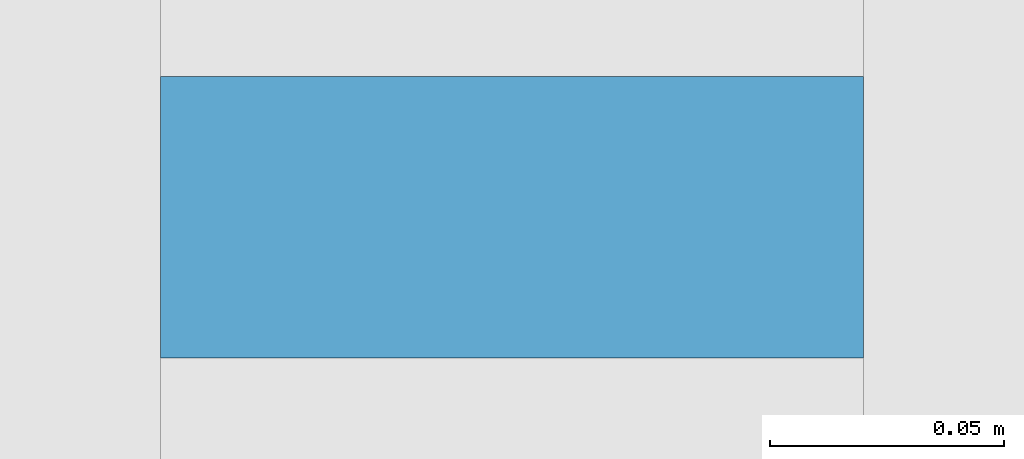
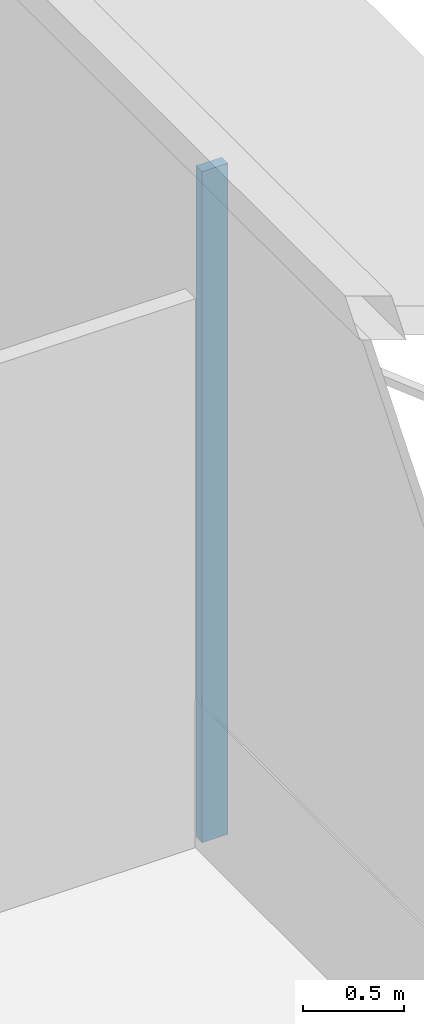
# One storey, part 13 of 22: 1 member, 1 element without a shape of its own.
"""IFC4 building model written with IfcOpenShell, lengths in metres."""

from ifc_helpers import new_model, si_unit, direction, frame, origin, origin_2d, place, context, subcontext, project, spatial, rectangle, extrude, source, transform, mapped, material, layer, layer_set, material_profile, profile_set, type_object, element, aggregate, save


model = new_model("IFC4")

# Units and contexts
model_context = context("Model", 3, precision=1e-05, world=origin(), true_north=direction((0.0, 1.0)))
body_context = subcontext(model_context, "Body", "Model", "MODEL_VIEW")
ifc_project = project(units=[si_unit("LENGTHUNIT", "METRE"), si_unit("AREAUNIT", "SQUARE_METRE"), si_unit("VOLUMEUNIT", "CUBIC_METRE"), si_unit("PLANEANGLEUNIT", "RADIAN"), si_unit("MASSUNIT", "GRAM", prefix="KILO")], contexts=[model_context])

# Site, building, storey
site_placement = place(None, origin())
site = spatial("IfcSite", under=ifc_project, at=site_placement, CompositionType="ELEMENT")
building_placement = place(site_placement, origin())
building = spatial("IfcBuilding", under=site, at=building_placement, Name="Trellis Farm Tower", CompositionType="ELEMENT")
storey_placement = place(building_placement, frame((0.0, 0.0, 47.5)))
storey = spatial("IfcBuildingStorey", under=building, at=storey_placement, Name="L09", CompositionType="ELEMENT", Elevation=47.5)

# Curtain wall, member
ifc_material_1 = material(Name="Aluminium and glass curtain wall", Category="aluminium")
ifc_layer = layer(ifc_material_1, 0.18994140625)
ifc_layer_set = layer_set([ifc_layer], Name="RIBBON CURTAIN WALL CW1")
curtain_wall_type = type_object("IfcCurtainWallType", Name="RIBBON CURTAIN WALL CW1", PredefinedType="NOTDEFINED", material=ifc_layer_set)
curtain_wall_placement = place(storey_placement, origin())
curtain_wall = element("IfcCurtainWall", 1, at=curtain_wall_placement, inside=storey, type_object=curtain_wall_type, Name="CW1 006", PredefinedType="NOTDEFINED")
ifc_material_2 = material(Name="Aluminium extrusion 6063-T6", Category="aluminium")
ifc_material_profile = material_profile(ifc_material_2, rectangle(XDim=0.06005859375, YDim=0.14990234375, at=origin_2d()), Name="MULLION 60x150")
ifc_profile_set = profile_set([ifc_material_profile], Name="Aluminium extrusion 6063-T6")
member_type = type_object("IfcMemberType", Name="CW1 MULLION 60x150", PredefinedType="MULLION", material=ifc_profile_set)
shared_shape = source(origin(), body_context, "Body", "SweptSolid", [
    extrude(rectangle(XDim=0.06005859375, YDim=0.14990234375, at=origin_2d()), origin(), (0.0, 0.0, 1.0), 4.070068359375),
])
member_placement = place(storey_placement, frame((32.425048828125, 0.0, 0.0), z_axis=(0.0, 0.0, 1.0), x_axis=(0.0, 1.0, 0.0)))
member = element("IfcMember", 2, at=member_placement, type_object=member_type, Name="MU1 006-01", PredefinedType="MULLION", context=body_context, shape_type="MappedRepresentation", body=[
    mapped(shared_shape, transform((0.0, 0.0, 0.0))),
])
aggregate(curtain_wall, [member])

save(model, "model.ifc")
